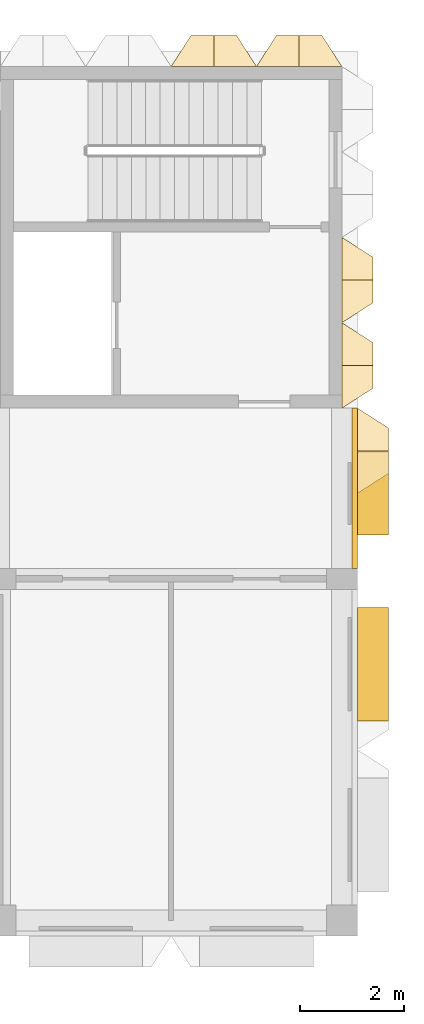
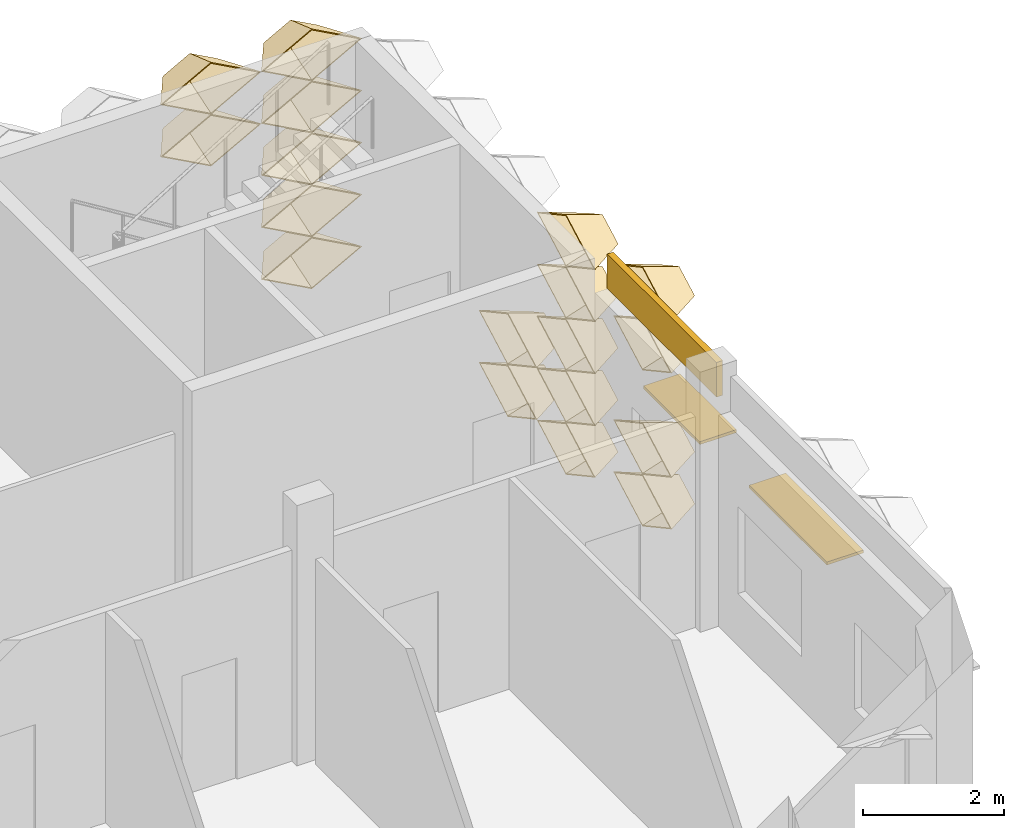
# One storey, part 100 of 102: 19 coverings, 2 shading devices.
"""IFC4 building model written with IfcOpenShell, lengths in metres."""

from ifc_helpers import new_model, entity, si_unit, direction, frame, frame_2d, origin, origin_2d, place, context, subcontext, project, spatial, rectangle, extrude, material, layer, layer_set, type_object, element, save


model = new_model("IFC4")

# Units and contexts
model_context = context("Model", 3, precision=1e-05, world=origin(), true_north=direction((0.0, 1.0)))
body_context = subcontext(model_context, "Body", "Model", "MODEL_VIEW")
ifc_project = project(units=[si_unit("LENGTHUNIT", "METRE"), si_unit("AREAUNIT", "SQUARE_METRE"), si_unit("VOLUMEUNIT", "CUBIC_METRE"), si_unit("PLANEANGLEUNIT", "RADIAN"), si_unit("MASSUNIT", "GRAM", prefix="KILO")], contexts=[model_context])

# Site, building, storey
site_placement = place(None, origin())
site = spatial("IfcSite", under=ifc_project, at=site_placement, CompositionType="ELEMENT")
building_placement = place(site_placement, origin())
building = spatial("IfcBuilding", under=site, at=building_placement, Name="Lantern Court Research Institute", CompositionType="ELEMENT")
storey_placement = place(building_placement, frame((0.0, 0.0, 9.89990234375)))
storey = spatial("IfcBuildingStorey", under=building, at=storey_placement, Name="L02", CompositionType="ELEMENT", Elevation=9.89990234375)

# Shading devices
ifc_material_1 = material(Name="Aluminium alloy 6063-T6", Category="aluminium")
ifc_layer_1 = layer(ifc_material_1, 0.050048828125)
ifc_layer_set_1 = layer_set([ifc_layer_1], Name="Aluminium alloy 6063-T6")
shading_device_type_1 = type_object("IfcShadingDeviceType", Name="Brise-soleil blade 1600 x 600 x 50 aluminium", PredefinedType="USERDEFINED", material=ifc_layer_set_1)
shading_device_1_placement = place(storey_placement, frame((79.800048828125, 90.75, 2.39990234375), z_axis=(0.0, 0.0, 1.0), x_axis=(0.0, -1.0, 0.0)))
element("IfcShadingDevice", 1, at=shading_device_1_placement, inside=storey, type_object=shading_device_type_1, Name="Brise-soleil blade L02 E", ObjectType="LOUVRE", PredefinedType="USERDEFINED", context=body_context, shape_type="SweptSolid", body=[
    extrude(rectangle(XDim=1.60009765625, YDim=0.60009765625, at=origin_2d()), origin(), (0.0, 0.0, 1.0), 0.050048828125),
])
ifc_material_2 = material(Name="Aluminium alloy 6063-T6", Category="aluminium")
ifc_layer_2 = layer(ifc_material_2, 0.050048828125)
ifc_layer_set_2 = layer_set([ifc_layer_2], Name="Aluminium alloy 6063-T6")
shading_device_type_2 = type_object("IfcShadingDeviceType", Name="Brise-soleil blade 2200 x 600 x 50 aluminium", PredefinedType="USERDEFINED", material=ifc_layer_set_2)
shading_device_2_placement = place(storey_placement, frame((79.800048828125, 87.449951171875, 2.5), z_axis=(0.0, 0.0, 1.0), x_axis=(0.0, -1.0, 0.0)))
element("IfcShadingDevice", 2, at=shading_device_2_placement, inside=storey, type_object=shading_device_type_2, Name="Brise-soleil blade L02 E", ObjectType="LOUVRE", PredefinedType="USERDEFINED", context=body_context, shape_type="SweptSolid", body=[
    extrude(rectangle(XDim=2.199951171875, YDim=0.60009765625, at=origin_2d()), origin(), (0.0, 0.0, 1.0), 0.050048828125),
])

# Coverings
ifc_material_3 = material(Name="Aluminium composite panel with mineral wool insulation", Category="aluminium")
ifc_layer_3 = layer(ifc_material_3, 0.10009765625)
ifc_layer_set_3 = layer_set([ifc_layer_3], Name="Aluminium composite panel with mineral wool insulation")
covering_type_1 = type_object("IfcCoveringType", Name="Edge fascia panel 100 aluminium faced", PredefinedType="CLADDING", material=ifc_layer_set_3)
covering_1_placement = place(storey_placement, frame((79.449951171875, 92.39990234375, 3.650146484375), z_axis=(0.0, 0.0, 1.0), x_axis=(0.0, -1.0, 0.0)))
element("IfcCovering", 3, at=covering_1_placement, inside=storey, type_object=covering_type_1, Name="Edge fascia V6E L02 02", PredefinedType="CLADDING", context=body_context, shape_type="SweptSolid", body=[
    extrude(rectangle(XDim=3.099853515625, YDim=0.10009765625, at=frame_2d((1.5498046875, 0.0))), origin(), (0.0, 0.0, 1.0), 0.599853515625),
])
ifc_material_4 = material(Name="Anodised aluminium", Category="aluminium")
ifc_layer_4 = layer(ifc_material_4, 0.01611328125)
ifc_layer_set_4 = layer_set([ifc_layer_4], Name="Anodised aluminium")
covering_type_2 = type_object("IfcCoveringType", Name="Fin cassette 1650 x 900 x 600 aluminium", PredefinedType="CLADDING", material=ifc_layer_set_4)
covering_2_placement = place(storey_placement, frame((79.199951171875, 93.22509765625, 0.4501953125), z_axis=(1.0, 0.0, 0.0), x_axis=(0.0, 1.0, 0.0)))
cartesian_point_1 = entity("IfcCartesianPoint", [0.824951171875, 0.0])
cartesian_point_2 = entity("IfcCartesianPoint", [0.79150390625, 0.0])
cartesian_point_3 = entity("IfcCartesianPoint", [0.44189453125, 0.0])
cartesian_point_4 = entity("IfcCartesianPoint", [0.43359375, 0.0])
element("IfcCovering", 4, at=covering_2_placement, inside=storey, type_object=covering_type_2, Name="Fin cassette V6E-L02 1.57", PredefinedType="CLADDING", context=body_context, shape_type="SweptSolid", body=[
    entity("IfcExtrudedAreaSolidTapered", entity("IfcArbitraryProfileDefWithVoids", "AREA", None, entity("IfcPolyline", [cartesian_point_1, entity("IfcCartesianPoint", [0.0, 0.449951171875]), entity("IfcCartesianPoint", [-0.824951171875, 0.0]), entity("IfcCartesianPoint", [0.0, -0.449951171875]), cartesian_point_1]), [entity("IfcPolyline", [cartesian_point_2, entity("IfcCartesianPoint", [0.0, 0.431884765625]), entity("IfcCartesianPoint", [-0.79150390625, 0.0]), entity("IfcCartesianPoint", [0.0, -0.431884765625]), cartesian_point_2])]), entity("IfcAxis2Placement3D", entity("IfcCartesianPoint", [0.0, 0.0, 0.0])), entity("IfcDirection", [0.0, 0.0, 1.0]), 0.60009765625, entity("IfcArbitraryProfileDefWithVoids", "AREA", None, entity("IfcPolyline", [cartesian_point_3, entity("IfcCartesianPoint", [0.0, 0.240966796875]), entity("IfcCartesianPoint", [-0.44189453125, 0.0]), entity("IfcCartesianPoint", [0.0, -0.240966796875]), cartesian_point_3]), [entity("IfcPolyline", [cartesian_point_4, entity("IfcCartesianPoint", [0.0, 0.236572265625]), entity("IfcCartesianPoint", [-0.43359375, 0.0]), entity("IfcCartesianPoint", [0.0, -0.236572265625]), cartesian_point_4])])),
])
covering_3_placement = place(storey_placement, frame((79.199951171875, 94.875, 0.4501953125), z_axis=(1.0, 0.0, 0.0), x_axis=(0.0, 1.0, 0.0)))
cartesian_point_5 = entity("IfcCartesianPoint", [0.824951171875, 0.0])
cartesian_point_6 = entity("IfcCartesianPoint", [0.79150390625, 0.0])
cartesian_point_7 = entity("IfcCartesianPoint", [0.44189453125, 0.0])
cartesian_point_8 = entity("IfcCartesianPoint", [0.43359375, 0.0])
element("IfcCovering", 5, at=covering_3_placement, inside=storey, type_object=covering_type_2, Name="Fin cassette V6E-L02 1.58", PredefinedType="CLADDING", context=body_context, shape_type="SweptSolid", body=[
    entity("IfcExtrudedAreaSolidTapered", entity("IfcArbitraryProfileDefWithVoids", "AREA", None, entity("IfcPolyline", [cartesian_point_5, entity("IfcCartesianPoint", [0.0, 0.449951171875]), entity("IfcCartesianPoint", [-0.824951171875, 0.0]), entity("IfcCartesianPoint", [0.0, -0.449951171875]), cartesian_point_5]), [entity("IfcPolyline", [cartesian_point_6, entity("IfcCartesianPoint", [0.0, 0.431884765625]), entity("IfcCartesianPoint", [-0.79150390625, 0.0]), entity("IfcCartesianPoint", [0.0, -0.431884765625]), cartesian_point_6])]), entity("IfcAxis2Placement3D", entity("IfcCartesianPoint", [0.0, 0.0, 0.0])), entity("IfcDirection", [0.0, 0.0, 1.0]), 0.60009765625, entity("IfcArbitraryProfileDefWithVoids", "AREA", None, entity("IfcPolyline", [cartesian_point_7, entity("IfcCartesianPoint", [0.0, 0.240966796875]), entity("IfcCartesianPoint", [-0.44189453125, 0.0]), entity("IfcCartesianPoint", [0.0, -0.240966796875]), cartesian_point_7]), [entity("IfcPolyline", [cartesian_point_8, entity("IfcCartesianPoint", [0.0, 0.236572265625]), entity("IfcCartesianPoint", [-0.43359375, 0.0]), entity("IfcCartesianPoint", [0.0, -0.236572265625]), cartesian_point_8])])),
])
covering_4_placement = place(storey_placement, frame((79.199951171875, 93.22509765625, 1.35009765625), z_axis=(1.0, 0.0, 0.0), x_axis=(0.0, 1.0, 0.0)))
cartesian_point_9 = entity("IfcCartesianPoint", [0.824951171875, 0.0])
cartesian_point_10 = entity("IfcCartesianPoint", [0.79150390625, 0.0])
cartesian_point_11 = entity("IfcCartesianPoint", [0.44189453125, 0.0])
cartesian_point_12 = entity("IfcCartesianPoint", [0.43359375, 0.0])
element("IfcCovering", 6, at=covering_4_placement, inside=storey, type_object=covering_type_2, Name="Fin cassette V6E-L02 2.57", PredefinedType="CLADDING", context=body_context, shape_type="SweptSolid", body=[
    entity("IfcExtrudedAreaSolidTapered", entity("IfcArbitraryProfileDefWithVoids", "AREA", None, entity("IfcPolyline", [cartesian_point_9, entity("IfcCartesianPoint", [0.0, 0.449951171875]), entity("IfcCartesianPoint", [-0.824951171875, 0.0]), entity("IfcCartesianPoint", [0.0, -0.449951171875]), cartesian_point_9]), [entity("IfcPolyline", [cartesian_point_10, entity("IfcCartesianPoint", [0.0, 0.431884765625]), entity("IfcCartesianPoint", [-0.79150390625, 0.0]), entity("IfcCartesianPoint", [0.0, -0.431884765625]), cartesian_point_10])]), entity("IfcAxis2Placement3D", entity("IfcCartesianPoint", [0.0, 0.0, 0.0])), entity("IfcDirection", [0.0, 0.0, 1.0]), 0.60009765625, entity("IfcArbitraryProfileDefWithVoids", "AREA", None, entity("IfcPolyline", [cartesian_point_11, entity("IfcCartesianPoint", [0.0, 0.240966796875]), entity("IfcCartesianPoint", [-0.44189453125, 0.0]), entity("IfcCartesianPoint", [0.0, -0.240966796875]), cartesian_point_11]), [entity("IfcPolyline", [cartesian_point_12, entity("IfcCartesianPoint", [0.0, 0.236572265625]), entity("IfcCartesianPoint", [-0.43359375, 0.0]), entity("IfcCartesianPoint", [0.0, -0.236572265625]), cartesian_point_12])])),
])
covering_5_placement = place(storey_placement, frame((79.199951171875, 94.875, 1.35009765625), z_axis=(1.0, 0.0, 0.0), x_axis=(0.0, 1.0, 0.0)))
cartesian_point_13 = entity("IfcCartesianPoint", [0.824951171875, 0.0])
cartesian_point_14 = entity("IfcCartesianPoint", [0.79150390625, 0.0])
cartesian_point_15 = entity("IfcCartesianPoint", [0.44189453125, 0.0])
cartesian_point_16 = entity("IfcCartesianPoint", [0.43359375, 0.0])
element("IfcCovering", 7, at=covering_5_placement, inside=storey, type_object=covering_type_2, Name="Fin cassette V6E-L02 2.58", PredefinedType="CLADDING", context=body_context, shape_type="SweptSolid", body=[
    entity("IfcExtrudedAreaSolidTapered", entity("IfcArbitraryProfileDefWithVoids", "AREA", None, entity("IfcPolyline", [cartesian_point_13, entity("IfcCartesianPoint", [0.0, 0.449951171875]), entity("IfcCartesianPoint", [-0.824951171875, 0.0]), entity("IfcCartesianPoint", [0.0, -0.449951171875]), cartesian_point_13]), [entity("IfcPolyline", [cartesian_point_14, entity("IfcCartesianPoint", [0.0, 0.431884765625]), entity("IfcCartesianPoint", [-0.79150390625, 0.0]), entity("IfcCartesianPoint", [0.0, -0.431884765625]), cartesian_point_14])]), entity("IfcAxis2Placement3D", entity("IfcCartesianPoint", [0.0, 0.0, 0.0])), entity("IfcDirection", [0.0, 0.0, 1.0]), 0.60009765625, entity("IfcArbitraryProfileDefWithVoids", "AREA", None, entity("IfcPolyline", [cartesian_point_15, entity("IfcCartesianPoint", [0.0, 0.240966796875]), entity("IfcCartesianPoint", [-0.44189453125, 0.0]), entity("IfcCartesianPoint", [0.0, -0.240966796875]), cartesian_point_15]), [entity("IfcPolyline", [cartesian_point_16, entity("IfcCartesianPoint", [0.0, 0.236572265625]), entity("IfcCartesianPoint", [-0.43359375, 0.0]), entity("IfcCartesianPoint", [0.0, -0.236572265625]), cartesian_point_16])])),
])
covering_6_placement = place(storey_placement, frame((79.199951171875, 93.22509765625, 2.25), z_axis=(1.0, 0.0, 0.0), x_axis=(0.0, 1.0, 0.0)))
cartesian_point_17 = entity("IfcCartesianPoint", [0.824951171875, 0.0])
cartesian_point_18 = entity("IfcCartesianPoint", [0.79150390625, 0.0])
cartesian_point_19 = entity("IfcCartesianPoint", [0.44189453125, 0.0])
cartesian_point_20 = entity("IfcCartesianPoint", [0.43359375, 0.0])
element("IfcCovering", 8, at=covering_6_placement, inside=storey, type_object=covering_type_2, Name="Fin cassette V6E-L02 3.57", PredefinedType="CLADDING", context=body_context, shape_type="SweptSolid", body=[
    entity("IfcExtrudedAreaSolidTapered", entity("IfcArbitraryProfileDefWithVoids", "AREA", None, entity("IfcPolyline", [cartesian_point_17, entity("IfcCartesianPoint", [0.0, 0.449951171875]), entity("IfcCartesianPoint", [-0.824951171875, 0.0]), entity("IfcCartesianPoint", [0.0, -0.449951171875]), cartesian_point_17]), [entity("IfcPolyline", [cartesian_point_18, entity("IfcCartesianPoint", [0.0, 0.431884765625]), entity("IfcCartesianPoint", [-0.79150390625, 0.0]), entity("IfcCartesianPoint", [0.0, -0.431884765625]), cartesian_point_18])]), entity("IfcAxis2Placement3D", entity("IfcCartesianPoint", [0.0, 0.0, 0.0])), entity("IfcDirection", [0.0, 0.0, 1.0]), 0.60009765625, entity("IfcArbitraryProfileDefWithVoids", "AREA", None, entity("IfcPolyline", [cartesian_point_19, entity("IfcCartesianPoint", [0.0, 0.240966796875]), entity("IfcCartesianPoint", [-0.44189453125, 0.0]), entity("IfcCartesianPoint", [0.0, -0.240966796875]), cartesian_point_19]), [entity("IfcPolyline", [cartesian_point_20, entity("IfcCartesianPoint", [0.0, 0.236572265625]), entity("IfcCartesianPoint", [-0.43359375, 0.0]), entity("IfcCartesianPoint", [0.0, -0.236572265625]), cartesian_point_20])])),
])
covering_7_placement = place(storey_placement, frame((79.199951171875, 93.22509765625, 3.150146484375), z_axis=(1.0, 0.0, 0.0), x_axis=(0.0, 1.0, 0.0)))
cartesian_point_21 = entity("IfcCartesianPoint", [0.824951171875, 0.0])
cartesian_point_22 = entity("IfcCartesianPoint", [0.79150390625, 0.0])
cartesian_point_23 = entity("IfcCartesianPoint", [0.44189453125, 0.0])
cartesian_point_24 = entity("IfcCartesianPoint", [0.43359375, 0.0])
element("IfcCovering", 9, at=covering_7_placement, inside=storey, type_object=covering_type_2, Name="Fin cassette V6E-L02 4.57", PredefinedType="CLADDING", context=body_context, shape_type="SweptSolid", body=[
    entity("IfcExtrudedAreaSolidTapered", entity("IfcArbitraryProfileDefWithVoids", "AREA", None, entity("IfcPolyline", [cartesian_point_21, entity("IfcCartesianPoint", [0.0, 0.449951171875]), entity("IfcCartesianPoint", [-0.824951171875, 0.0]), entity("IfcCartesianPoint", [0.0, -0.449951171875]), cartesian_point_21]), [entity("IfcPolyline", [cartesian_point_22, entity("IfcCartesianPoint", [0.0, 0.431884765625]), entity("IfcCartesianPoint", [-0.79150390625, 0.0]), entity("IfcCartesianPoint", [0.0, -0.431884765625]), cartesian_point_22])]), entity("IfcAxis2Placement3D", entity("IfcCartesianPoint", [0.0, 0.0, 0.0])), entity("IfcDirection", [0.0, 0.0, 1.0]), 0.60009765625, entity("IfcArbitraryProfileDefWithVoids", "AREA", None, entity("IfcPolyline", [cartesian_point_23, entity("IfcCartesianPoint", [0.0, 0.240966796875]), entity("IfcCartesianPoint", [-0.44189453125, 0.0]), entity("IfcCartesianPoint", [0.0, -0.240966796875]), cartesian_point_23]), [entity("IfcPolyline", [cartesian_point_24, entity("IfcCartesianPoint", [0.0, 0.236572265625]), entity("IfcCartesianPoint", [-0.43359375, 0.0]), entity("IfcCartesianPoint", [0.0, -0.236572265625]), cartesian_point_24])])),
])
covering_8_placement = place(storey_placement, frame((79.199951171875, 93.22509765625, 4.050048828125), z_axis=(1.0, 0.0, 0.0), x_axis=(0.0, 1.0, 0.0)))
cartesian_point_25 = entity("IfcCartesianPoint", [0.824951171875, 0.0])
cartesian_point_26 = entity("IfcCartesianPoint", [0.79150390625, 0.0])
cartesian_point_27 = entity("IfcCartesianPoint", [0.44189453125, 0.0])
cartesian_point_28 = entity("IfcCartesianPoint", [0.43359375, 0.0])
element("IfcCovering", 10, at=covering_8_placement, inside=storey, type_object=covering_type_2, Name="Fin cassette V6E-L02 5.57", PredefinedType="CLADDING", context=body_context, shape_type="SweptSolid", body=[
    entity("IfcExtrudedAreaSolidTapered", entity("IfcArbitraryProfileDefWithVoids", "AREA", None, entity("IfcPolyline", [cartesian_point_25, entity("IfcCartesianPoint", [0.0, 0.449951171875]), entity("IfcCartesianPoint", [-0.824951171875, 0.0]), entity("IfcCartesianPoint", [0.0, -0.449951171875]), cartesian_point_25]), [entity("IfcPolyline", [cartesian_point_26, entity("IfcCartesianPoint", [0.0, 0.431884765625]), entity("IfcCartesianPoint", [-0.79150390625, 0.0]), entity("IfcCartesianPoint", [0.0, -0.431884765625]), cartesian_point_26])]), entity("IfcAxis2Placement3D", entity("IfcCartesianPoint", [0.0, 0.0, 0.0])), entity("IfcDirection", [0.0, 0.0, 1.0]), 0.60009765625, entity("IfcArbitraryProfileDefWithVoids", "AREA", None, entity("IfcPolyline", [cartesian_point_27, entity("IfcCartesianPoint", [0.0, 0.240966796875]), entity("IfcCartesianPoint", [-0.44189453125, 0.0]), entity("IfcCartesianPoint", [0.0, -0.240966796875]), cartesian_point_27]), [entity("IfcPolyline", [cartesian_point_28, entity("IfcCartesianPoint", [0.0, 0.236572265625]), entity("IfcCartesianPoint", [-0.43359375, 0.0]), entity("IfcCartesianPoint", [0.0, -0.236572265625]), cartesian_point_28])])),
])
covering_9_placement = place(storey_placement, frame((79.5, 91.574951171875, 0.4501953125), z_axis=(1.0, 0.0, 0.0), x_axis=(0.0, 1.0, 0.0)))
cartesian_point_29 = entity("IfcCartesianPoint", [0.824951171875, 0.0])
cartesian_point_30 = entity("IfcCartesianPoint", [0.79150390625, 0.0])
cartesian_point_31 = entity("IfcCartesianPoint", [0.44189453125, 0.0])
cartesian_point_32 = entity("IfcCartesianPoint", [0.43359375, 0.0])
element("IfcCovering", 11, at=covering_9_placement, inside=storey, type_object=covering_type_2, Name="Fin cassette V6E-L02 1.56", PredefinedType="CLADDING", context=body_context, shape_type="SweptSolid", body=[
    entity("IfcExtrudedAreaSolidTapered", entity("IfcArbitraryProfileDefWithVoids", "AREA", None, entity("IfcPolyline", [cartesian_point_29, entity("IfcCartesianPoint", [0.0, 0.449951171875]), entity("IfcCartesianPoint", [-0.824951171875, 0.0]), entity("IfcCartesianPoint", [0.0, -0.449951171875]), cartesian_point_29]), [entity("IfcPolyline", [cartesian_point_30, entity("IfcCartesianPoint", [0.0, 0.431884765625]), entity("IfcCartesianPoint", [-0.79150390625, 0.0]), entity("IfcCartesianPoint", [0.0, -0.431884765625]), cartesian_point_30])]), entity("IfcAxis2Placement3D", entity("IfcCartesianPoint", [0.0, 0.0, 0.0])), entity("IfcDirection", [0.0, 0.0, 1.0]), 0.60009765625, entity("IfcArbitraryProfileDefWithVoids", "AREA", None, entity("IfcPolyline", [cartesian_point_31, entity("IfcCartesianPoint", [0.0, 0.240966796875]), entity("IfcCartesianPoint", [-0.44189453125, 0.0]), entity("IfcCartesianPoint", [0.0, -0.240966796875]), cartesian_point_31]), [entity("IfcPolyline", [cartesian_point_32, entity("IfcCartesianPoint", [0.0, 0.236572265625]), entity("IfcCartesianPoint", [-0.43359375, 0.0]), entity("IfcCartesianPoint", [0.0, -0.236572265625]), cartesian_point_32])])),
])
covering_10_placement = place(storey_placement, frame((79.5, 91.574951171875, 1.35009765625), z_axis=(1.0, 0.0, 0.0), x_axis=(0.0, 1.0, 0.0)))
cartesian_point_33 = entity("IfcCartesianPoint", [0.824951171875, 0.0])
cartesian_point_34 = entity("IfcCartesianPoint", [0.79150390625, 0.0])
cartesian_point_35 = entity("IfcCartesianPoint", [0.44189453125, 0.0])
cartesian_point_36 = entity("IfcCartesianPoint", [0.43359375, 0.0])
element("IfcCovering", 12, at=covering_10_placement, inside=storey, type_object=covering_type_2, Name="Fin cassette V6E-L02 2.56", PredefinedType="CLADDING", context=body_context, shape_type="SweptSolid", body=[
    entity("IfcExtrudedAreaSolidTapered", entity("IfcArbitraryProfileDefWithVoids", "AREA", None, entity("IfcPolyline", [cartesian_point_33, entity("IfcCartesianPoint", [0.0, 0.449951171875]), entity("IfcCartesianPoint", [-0.824951171875, 0.0]), entity("IfcCartesianPoint", [0.0, -0.449951171875]), cartesian_point_33]), [entity("IfcPolyline", [cartesian_point_34, entity("IfcCartesianPoint", [0.0, 0.431884765625]), entity("IfcCartesianPoint", [-0.79150390625, 0.0]), entity("IfcCartesianPoint", [0.0, -0.431884765625]), cartesian_point_34])]), entity("IfcAxis2Placement3D", entity("IfcCartesianPoint", [0.0, 0.0, 0.0])), entity("IfcDirection", [0.0, 0.0, 1.0]), 0.60009765625, entity("IfcArbitraryProfileDefWithVoids", "AREA", None, entity("IfcPolyline", [cartesian_point_35, entity("IfcCartesianPoint", [0.0, 0.240966796875]), entity("IfcCartesianPoint", [-0.44189453125, 0.0]), entity("IfcCartesianPoint", [0.0, -0.240966796875]), cartesian_point_35]), [entity("IfcPolyline", [cartesian_point_36, entity("IfcCartesianPoint", [0.0, 0.236572265625]), entity("IfcCartesianPoint", [-0.43359375, 0.0]), entity("IfcCartesianPoint", [0.0, -0.236572265625]), cartesian_point_36])])),
])
covering_11_placement = place(storey_placement, frame((79.5, 91.574951171875, 3.150146484375), z_axis=(1.0, 0.0, 0.0), x_axis=(0.0, 1.0, 0.0)))
cartesian_point_37 = entity("IfcCartesianPoint", [0.824951171875, 0.0])
cartesian_point_38 = entity("IfcCartesianPoint", [0.79150390625, 0.0])
cartesian_point_39 = entity("IfcCartesianPoint", [0.44189453125, 0.0])
cartesian_point_40 = entity("IfcCartesianPoint", [0.43359375, 0.0])
element("IfcCovering", 13, at=covering_11_placement, inside=storey, type_object=covering_type_2, Name="Fin cassette V6E-L02 4.56", PredefinedType="CLADDING", context=body_context, shape_type="SweptSolid", body=[
    entity("IfcExtrudedAreaSolidTapered", entity("IfcArbitraryProfileDefWithVoids", "AREA", None, entity("IfcPolyline", [cartesian_point_37, entity("IfcCartesianPoint", [0.0, 0.449951171875]), entity("IfcCartesianPoint", [-0.824951171875, 0.0]), entity("IfcCartesianPoint", [0.0, -0.449951171875]), cartesian_point_37]), [entity("IfcPolyline", [cartesian_point_38, entity("IfcCartesianPoint", [0.0, 0.431884765625]), entity("IfcCartesianPoint", [-0.79150390625, 0.0]), entity("IfcCartesianPoint", [0.0, -0.431884765625]), cartesian_point_38])]), entity("IfcAxis2Placement3D", entity("IfcCartesianPoint", [0.0, 0.0, 0.0])), entity("IfcDirection", [0.0, 0.0, 1.0]), 0.60009765625, entity("IfcArbitraryProfileDefWithVoids", "AREA", None, entity("IfcPolyline", [cartesian_point_39, entity("IfcCartesianPoint", [0.0, 0.240966796875]), entity("IfcCartesianPoint", [-0.44189453125, 0.0]), entity("IfcCartesianPoint", [0.0, -0.240966796875]), cartesian_point_39]), [entity("IfcPolyline", [cartesian_point_40, entity("IfcCartesianPoint", [0.0, 0.236572265625]), entity("IfcCartesianPoint", [-0.43359375, 0.0]), entity("IfcCartesianPoint", [0.0, -0.236572265625]), cartesian_point_40])])),
])
covering_12_placement = place(storey_placement, frame((79.5, 91.574951171875, 4.050048828125), z_axis=(1.0, 0.0, 0.0), x_axis=(0.0, 1.0, 0.0)))
cartesian_point_41 = entity("IfcCartesianPoint", [0.824951171875, 0.0])
cartesian_point_42 = entity("IfcCartesianPoint", [0.79150390625, 0.0])
cartesian_point_43 = entity("IfcCartesianPoint", [0.44189453125, 0.0])
cartesian_point_44 = entity("IfcCartesianPoint", [0.43359375, 0.0])
element("IfcCovering", 14, at=covering_12_placement, inside=storey, type_object=covering_type_2, Name="Fin cassette V6E-L02 5.56", PredefinedType="CLADDING", context=body_context, shape_type="SweptSolid", body=[
    entity("IfcExtrudedAreaSolidTapered", entity("IfcArbitraryProfileDefWithVoids", "AREA", None, entity("IfcPolyline", [cartesian_point_41, entity("IfcCartesianPoint", [0.0, 0.449951171875]), entity("IfcCartesianPoint", [-0.824951171875, 0.0]), entity("IfcCartesianPoint", [0.0, -0.449951171875]), cartesian_point_41]), [entity("IfcPolyline", [cartesian_point_42, entity("IfcCartesianPoint", [0.0, 0.431884765625]), entity("IfcCartesianPoint", [-0.79150390625, 0.0]), entity("IfcCartesianPoint", [0.0, -0.431884765625]), cartesian_point_42])]), entity("IfcAxis2Placement3D", entity("IfcCartesianPoint", [0.0, 0.0, 0.0])), entity("IfcDirection", [0.0, 0.0, 1.0]), 0.60009765625, entity("IfcArbitraryProfileDefWithVoids", "AREA", None, entity("IfcPolyline", [cartesian_point_43, entity("IfcCartesianPoint", [0.0, 0.240966796875]), entity("IfcCartesianPoint", [-0.44189453125, 0.0]), entity("IfcCartesianPoint", [0.0, -0.240966796875]), cartesian_point_43]), [entity("IfcPolyline", [cartesian_point_44, entity("IfcCartesianPoint", [0.0, 0.236572265625]), entity("IfcCartesianPoint", [-0.43359375, 0.0]), entity("IfcCartesianPoint", [0.0, -0.236572265625]), cartesian_point_44])])),
])
covering_13_placement = place(storey_placement, frame((78.375, 99.0, 0.4501953125), z_axis=(0.0, 1.0, 0.0), x_axis=(-1.0, 0.0, 0.0)))
cartesian_point_45 = entity("IfcCartesianPoint", [0.824951171875, 0.0])
cartesian_point_46 = entity("IfcCartesianPoint", [0.79150390625, 0.0])
cartesian_point_47 = entity("IfcCartesianPoint", [0.44189453125, 0.0])
cartesian_point_48 = entity("IfcCartesianPoint", [0.43359375, 0.0])
element("IfcCovering", 15, at=covering_13_placement, inside=storey, type_object=covering_type_2, Name="Fin cassette V6N-L02 1.48", PredefinedType="CLADDING", context=body_context, shape_type="SweptSolid", body=[
    entity("IfcExtrudedAreaSolidTapered", entity("IfcArbitraryProfileDefWithVoids", "AREA", None, entity("IfcPolyline", [cartesian_point_45, entity("IfcCartesianPoint", [0.0, 0.449951171875]), entity("IfcCartesianPoint", [-0.824951171875, 0.0]), entity("IfcCartesianPoint", [0.0, -0.449951171875]), cartesian_point_45]), [entity("IfcPolyline", [cartesian_point_46, entity("IfcCartesianPoint", [0.0, 0.431884765625]), entity("IfcCartesianPoint", [-0.79150390625, 0.0]), entity("IfcCartesianPoint", [0.0, -0.431884765625]), cartesian_point_46])]), entity("IfcAxis2Placement3D", entity("IfcCartesianPoint", [0.0, 0.0, 0.0])), entity("IfcDirection", [0.0, 0.0, 1.0]), 0.60009765625, entity("IfcArbitraryProfileDefWithVoids", "AREA", None, entity("IfcPolyline", [cartesian_point_47, entity("IfcCartesianPoint", [0.0, 0.240966796875]), entity("IfcCartesianPoint", [-0.44189453125, 0.0]), entity("IfcCartesianPoint", [0.0, -0.240966796875]), cartesian_point_47]), [entity("IfcPolyline", [cartesian_point_48, entity("IfcCartesianPoint", [0.0, 0.236572265625]), entity("IfcCartesianPoint", [-0.43359375, 0.0]), entity("IfcCartesianPoint", [0.0, -0.236572265625]), cartesian_point_48])])),
])
covering_14_placement = place(storey_placement, frame((78.375, 99.0, 1.35009765625), z_axis=(0.0, 1.0, 0.0), x_axis=(-1.0, 0.0, 0.0)))
cartesian_point_49 = entity("IfcCartesianPoint", [0.824951171875, 0.0])
cartesian_point_50 = entity("IfcCartesianPoint", [0.79150390625, 0.0])
cartesian_point_51 = entity("IfcCartesianPoint", [0.44189453125, 0.0])
cartesian_point_52 = entity("IfcCartesianPoint", [0.43359375, 0.0])
element("IfcCovering", 16, at=covering_14_placement, inside=storey, type_object=covering_type_2, Name="Fin cassette V6N-L02 2.48", PredefinedType="CLADDING", context=body_context, shape_type="SweptSolid", body=[
    entity("IfcExtrudedAreaSolidTapered", entity("IfcArbitraryProfileDefWithVoids", "AREA", None, entity("IfcPolyline", [cartesian_point_49, entity("IfcCartesianPoint", [0.0, 0.449951171875]), entity("IfcCartesianPoint", [-0.824951171875, 0.0]), entity("IfcCartesianPoint", [0.0, -0.449951171875]), cartesian_point_49]), [entity("IfcPolyline", [cartesian_point_50, entity("IfcCartesianPoint", [0.0, 0.431884765625]), entity("IfcCartesianPoint", [-0.79150390625, 0.0]), entity("IfcCartesianPoint", [0.0, -0.431884765625]), cartesian_point_50])]), entity("IfcAxis2Placement3D", entity("IfcCartesianPoint", [0.0, 0.0, 0.0])), entity("IfcDirection", [0.0, 0.0, 1.0]), 0.60009765625, entity("IfcArbitraryProfileDefWithVoids", "AREA", None, entity("IfcPolyline", [cartesian_point_51, entity("IfcCartesianPoint", [0.0, 0.240966796875]), entity("IfcCartesianPoint", [-0.44189453125, 0.0]), entity("IfcCartesianPoint", [0.0, -0.240966796875]), cartesian_point_51]), [entity("IfcPolyline", [cartesian_point_52, entity("IfcCartesianPoint", [0.0, 0.236572265625]), entity("IfcCartesianPoint", [-0.43359375, 0.0]), entity("IfcCartesianPoint", [0.0, -0.236572265625]), cartesian_point_52])])),
])
covering_15_placement = place(storey_placement, frame((78.375, 99.0, 2.25), z_axis=(0.0, 1.0, 0.0), x_axis=(-1.0, 0.0, 0.0)))
cartesian_point_53 = entity("IfcCartesianPoint", [0.824951171875, 0.0])
cartesian_point_54 = entity("IfcCartesianPoint", [0.79150390625, 0.0])
cartesian_point_55 = entity("IfcCartesianPoint", [0.44189453125, 0.0])
cartesian_point_56 = entity("IfcCartesianPoint", [0.43359375, 0.0])
element("IfcCovering", 17, at=covering_15_placement, inside=storey, type_object=covering_type_2, Name="Fin cassette V6N-L02 3.48", PredefinedType="CLADDING", context=body_context, shape_type="SweptSolid", body=[
    entity("IfcExtrudedAreaSolidTapered", entity("IfcArbitraryProfileDefWithVoids", "AREA", None, entity("IfcPolyline", [cartesian_point_53, entity("IfcCartesianPoint", [0.0, 0.449951171875]), entity("IfcCartesianPoint", [-0.824951171875, 0.0]), entity("IfcCartesianPoint", [0.0, -0.449951171875]), cartesian_point_53]), [entity("IfcPolyline", [cartesian_point_54, entity("IfcCartesianPoint", [0.0, 0.431884765625]), entity("IfcCartesianPoint", [-0.79150390625, 0.0]), entity("IfcCartesianPoint", [0.0, -0.431884765625]), cartesian_point_54])]), entity("IfcAxis2Placement3D", entity("IfcCartesianPoint", [0.0, 0.0, 0.0])), entity("IfcDirection", [0.0, 0.0, 1.0]), 0.60009765625, entity("IfcArbitraryProfileDefWithVoids", "AREA", None, entity("IfcPolyline", [cartesian_point_55, entity("IfcCartesianPoint", [0.0, 0.240966796875]), entity("IfcCartesianPoint", [-0.44189453125, 0.0]), entity("IfcCartesianPoint", [0.0, -0.240966796875]), cartesian_point_55]), [entity("IfcPolyline", [cartesian_point_56, entity("IfcCartesianPoint", [0.0, 0.236572265625]), entity("IfcCartesianPoint", [-0.43359375, 0.0]), entity("IfcCartesianPoint", [0.0, -0.236572265625]), cartesian_point_56])])),
])
covering_16_placement = place(storey_placement, frame((76.72509765625, 99.0, 3.150146484375), z_axis=(0.0, 1.0, 0.0), x_axis=(-1.0, 0.0, 0.0)))
cartesian_point_57 = entity("IfcCartesianPoint", [0.824951171875, 0.0])
cartesian_point_58 = entity("IfcCartesianPoint", [0.79150390625, 0.0])
cartesian_point_59 = entity("IfcCartesianPoint", [0.44189453125, 0.0])
cartesian_point_60 = entity("IfcCartesianPoint", [0.43359375, 0.0])
element("IfcCovering", 18, at=covering_16_placement, inside=storey, type_object=covering_type_2, Name="Fin cassette V6N-L02 4.47", PredefinedType="CLADDING", context=body_context, shape_type="SweptSolid", body=[
    entity("IfcExtrudedAreaSolidTapered", entity("IfcArbitraryProfileDefWithVoids", "AREA", None, entity("IfcPolyline", [cartesian_point_57, entity("IfcCartesianPoint", [0.0, 0.449951171875]), entity("IfcCartesianPoint", [-0.824951171875, 0.0]), entity("IfcCartesianPoint", [0.0, -0.449951171875]), cartesian_point_57]), [entity("IfcPolyline", [cartesian_point_58, entity("IfcCartesianPoint", [0.0, 0.431884765625]), entity("IfcCartesianPoint", [-0.79150390625, 0.0]), entity("IfcCartesianPoint", [0.0, -0.431884765625]), cartesian_point_58])]), entity("IfcAxis2Placement3D", entity("IfcCartesianPoint", [0.0, 0.0, 0.0])), entity("IfcDirection", [0.0, 0.0, 1.0]), 0.60009765625, entity("IfcArbitraryProfileDefWithVoids", "AREA", None, entity("IfcPolyline", [cartesian_point_59, entity("IfcCartesianPoint", [0.0, 0.240966796875]), entity("IfcCartesianPoint", [-0.44189453125, 0.0]), entity("IfcCartesianPoint", [0.0, -0.240966796875]), cartesian_point_59]), [entity("IfcPolyline", [cartesian_point_60, entity("IfcCartesianPoint", [0.0, 0.236572265625]), entity("IfcCartesianPoint", [-0.43359375, 0.0]), entity("IfcCartesianPoint", [0.0, -0.236572265625]), cartesian_point_60])])),
])
covering_17_placement = place(storey_placement, frame((78.375, 99.0, 3.150146484375), z_axis=(0.0, 1.0, 0.0), x_axis=(-1.0, 0.0, 0.0)))
cartesian_point_61 = entity("IfcCartesianPoint", [0.824951171875, 0.0])
cartesian_point_62 = entity("IfcCartesianPoint", [0.79150390625, 0.0])
cartesian_point_63 = entity("IfcCartesianPoint", [0.44189453125, 0.0])
cartesian_point_64 = entity("IfcCartesianPoint", [0.43359375, 0.0])
element("IfcCovering", 19, at=covering_17_placement, inside=storey, type_object=covering_type_2, Name="Fin cassette V6N-L02 4.48", PredefinedType="CLADDING", context=body_context, shape_type="SweptSolid", body=[
    entity("IfcExtrudedAreaSolidTapered", entity("IfcArbitraryProfileDefWithVoids", "AREA", None, entity("IfcPolyline", [cartesian_point_61, entity("IfcCartesianPoint", [0.0, 0.449951171875]), entity("IfcCartesianPoint", [-0.824951171875, 0.0]), entity("IfcCartesianPoint", [0.0, -0.449951171875]), cartesian_point_61]), [entity("IfcPolyline", [cartesian_point_62, entity("IfcCartesianPoint", [0.0, 0.431884765625]), entity("IfcCartesianPoint", [-0.79150390625, 0.0]), entity("IfcCartesianPoint", [0.0, -0.431884765625]), cartesian_point_62])]), entity("IfcAxis2Placement3D", entity("IfcCartesianPoint", [0.0, 0.0, 0.0])), entity("IfcDirection", [0.0, 0.0, 1.0]), 0.60009765625, entity("IfcArbitraryProfileDefWithVoids", "AREA", None, entity("IfcPolyline", [cartesian_point_63, entity("IfcCartesianPoint", [0.0, 0.240966796875]), entity("IfcCartesianPoint", [-0.44189453125, 0.0]), entity("IfcCartesianPoint", [0.0, -0.240966796875]), cartesian_point_63]), [entity("IfcPolyline", [cartesian_point_64, entity("IfcCartesianPoint", [0.0, 0.236572265625]), entity("IfcCartesianPoint", [-0.43359375, 0.0]), entity("IfcCartesianPoint", [0.0, -0.236572265625]), cartesian_point_64])])),
])
covering_18_placement = place(storey_placement, frame((76.72509765625, 99.0, 4.050048828125), z_axis=(0.0, 1.0, 0.0), x_axis=(-1.0, 0.0, 0.0)))
cartesian_point_65 = entity("IfcCartesianPoint", [0.824951171875, 0.0])
cartesian_point_66 = entity("IfcCartesianPoint", [0.79150390625, 0.0])
cartesian_point_67 = entity("IfcCartesianPoint", [0.44189453125, 0.0])
cartesian_point_68 = entity("IfcCartesianPoint", [0.43359375, 0.0])
element("IfcCovering", 20, at=covering_18_placement, inside=storey, type_object=covering_type_2, Name="Fin cassette V6N-L02 5.47", PredefinedType="CLADDING", context=body_context, shape_type="SweptSolid", body=[
    entity("IfcExtrudedAreaSolidTapered", entity("IfcArbitraryProfileDefWithVoids", "AREA", None, entity("IfcPolyline", [cartesian_point_65, entity("IfcCartesianPoint", [0.0, 0.449951171875]), entity("IfcCartesianPoint", [-0.824951171875, 0.0]), entity("IfcCartesianPoint", [0.0, -0.449951171875]), cartesian_point_65]), [entity("IfcPolyline", [cartesian_point_66, entity("IfcCartesianPoint", [0.0, 0.431884765625]), entity("IfcCartesianPoint", [-0.79150390625, 0.0]), entity("IfcCartesianPoint", [0.0, -0.431884765625]), cartesian_point_66])]), entity("IfcAxis2Placement3D", entity("IfcCartesianPoint", [0.0, 0.0, 0.0])), entity("IfcDirection", [0.0, 0.0, 1.0]), 0.60009765625, entity("IfcArbitraryProfileDefWithVoids", "AREA", None, entity("IfcPolyline", [cartesian_point_67, entity("IfcCartesianPoint", [0.0, 0.240966796875]), entity("IfcCartesianPoint", [-0.44189453125, 0.0]), entity("IfcCartesianPoint", [0.0, -0.240966796875]), cartesian_point_67]), [entity("IfcPolyline", [cartesian_point_68, entity("IfcCartesianPoint", [0.0, 0.236572265625]), entity("IfcCartesianPoint", [-0.43359375, 0.0]), entity("IfcCartesianPoint", [0.0, -0.236572265625]), cartesian_point_68])])),
])
covering_19_placement = place(storey_placement, frame((78.375, 99.0, 4.050048828125), z_axis=(0.0, 1.0, 0.0), x_axis=(-1.0, 0.0, 0.0)))
cartesian_point_69 = entity("IfcCartesianPoint", [0.824951171875, 0.0])
cartesian_point_70 = entity("IfcCartesianPoint", [0.79150390625, 0.0])
cartesian_point_71 = entity("IfcCartesianPoint", [0.44189453125, 0.0])
cartesian_point_72 = entity("IfcCartesianPoint", [0.43359375, 0.0])
element("IfcCovering", 21, at=covering_19_placement, inside=storey, type_object=covering_type_2, Name="Fin cassette V6N-L02 5.48", PredefinedType="CLADDING", context=body_context, shape_type="SweptSolid", body=[
    entity("IfcExtrudedAreaSolidTapered", entity("IfcArbitraryProfileDefWithVoids", "AREA", None, entity("IfcPolyline", [cartesian_point_69, entity("IfcCartesianPoint", [0.0, 0.449951171875]), entity("IfcCartesianPoint", [-0.824951171875, 0.0]), entity("IfcCartesianPoint", [0.0, -0.449951171875]), cartesian_point_69]), [entity("IfcPolyline", [cartesian_point_70, entity("IfcCartesianPoint", [0.0, 0.431884765625]), entity("IfcCartesianPoint", [-0.79150390625, 0.0]), entity("IfcCartesianPoint", [0.0, -0.431884765625]), cartesian_point_70])]), entity("IfcAxis2Placement3D", entity("IfcCartesianPoint", [0.0, 0.0, 0.0])), entity("IfcDirection", [0.0, 0.0, 1.0]), 0.60009765625, entity("IfcArbitraryProfileDefWithVoids", "AREA", None, entity("IfcPolyline", [cartesian_point_71, entity("IfcCartesianPoint", [0.0, 0.240966796875]), entity("IfcCartesianPoint", [-0.44189453125, 0.0]), entity("IfcCartesianPoint", [0.0, -0.240966796875]), cartesian_point_71]), [entity("IfcPolyline", [cartesian_point_72, entity("IfcCartesianPoint", [0.0, 0.236572265625]), entity("IfcCartesianPoint", [-0.43359375, 0.0]), entity("IfcCartesianPoint", [0.0, -0.236572265625]), cartesian_point_72])])),
])

save(model, "model.ifc")
